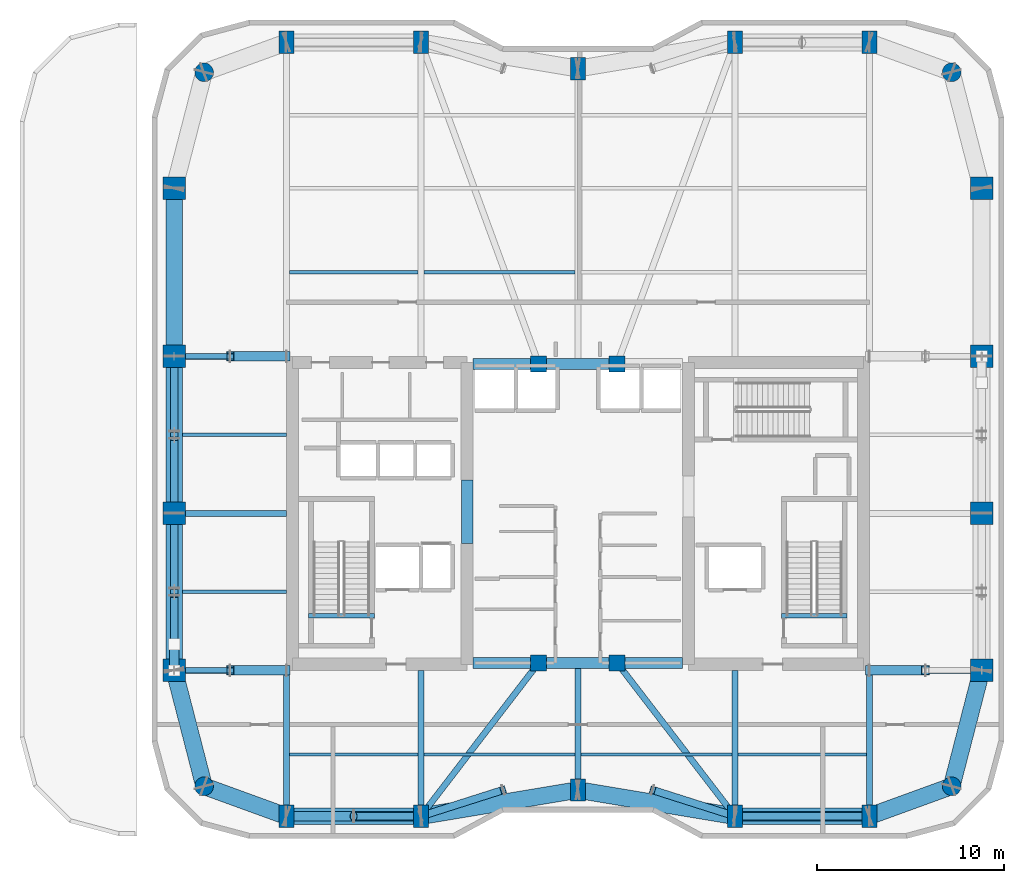
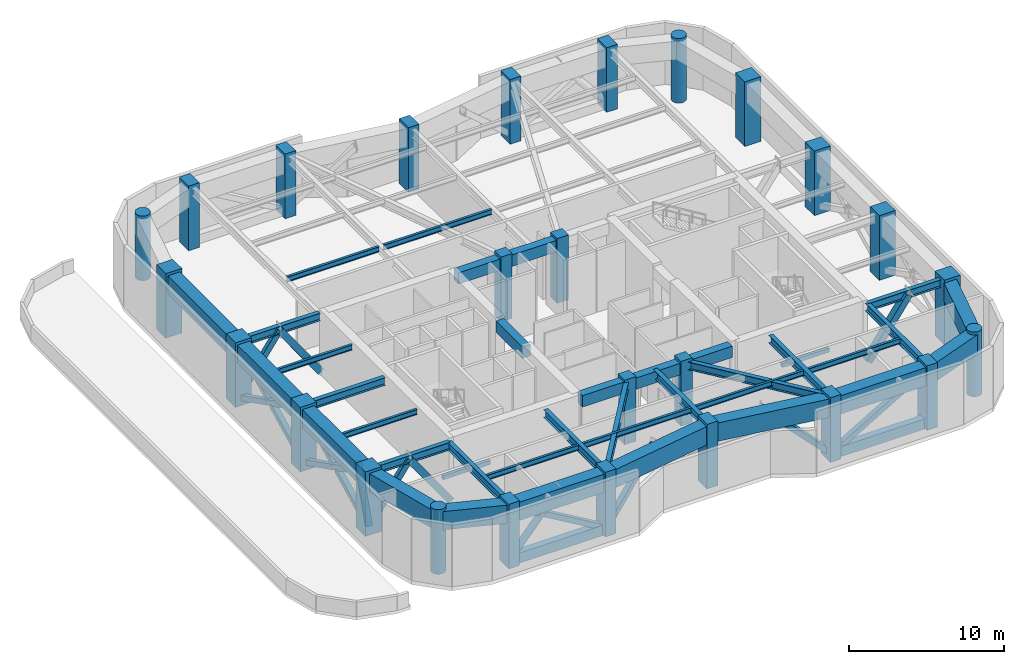
# One storey, part 1 of 16: 38 beams, 26 columns, 19 members.
"""IFC4 building model written with IfcOpenShell, lengths in metres."""

from ifc_helpers import new_model, si_unit, direction, frame, origin, origin_2d, place, context, subcontext, project, spatial, rectangle, hollow_rectangle, circle, hollow_circle, i_section, extrude, material, material_profile, profile_set, type_object, element, save


model = new_model("IFC4")

# Units and contexts
model_context = context("Model", 3, precision=1e-05, world=origin(), true_north=direction((0.0, 1.0)))
body_context = subcontext(model_context, "Body", "Model", "MODEL_VIEW")
ifc_project = project(units=[si_unit("LENGTHUNIT", "METRE"), si_unit("AREAUNIT", "SQUARE_METRE"), si_unit("VOLUMEUNIT", "CUBIC_METRE"), si_unit("PLANEANGLEUNIT", "RADIAN"), si_unit("MASSUNIT", "GRAM", prefix="KILO")], contexts=[model_context])

# Site, building, storey
site_placement = place(None, origin())
site = spatial("IfcSite", under=ifc_project, at=site_placement, CompositionType="ELEMENT")
building_placement = place(site_placement, origin())
building = spatial("IfcBuilding", under=site, at=building_placement, Name="Kiyonajd Concourse Tower", CompositionType="ELEMENT")
storey_placement = place(building_placement, frame((0.0, 0.0, 209.699951171875)))
storey = spatial("IfcBuildingStorey", under=building, at=storey_placement, Name="L53", CompositionType="ELEMENT", Elevation=209.699951171875)

# Columns
ifc_material_1 = material(Name="Concrete C70/85", Category="concrete")
ifc_material_profile_1 = material_profile(ifc_material_1, rectangle(XDim=0.800048828125, YDim=1.199951171875, at=origin_2d()), Name="RC-1200x800")
ifc_profile_set_1 = profile_set([ifc_material_profile_1], Name="Concrete C70/85")
column_type_1 = type_object("IfcColumnType", Name="CL-BLADE-1200", PredefinedType="COLUMN", material=ifc_profile_set_1)
for number, where, z_axis, x_axis, name in (
    (1, (32.39990234375, 19.800048828125, 0.0), (0.0, 0.0, 1.0), (1.0, 0.0, 0.0), "L53 Perimeter Bundled Tube Column"),
    (2, (32.39990234375, 61.199951171875, 0.0), (0.0, 0.0, 1.0), (1.0, 0.0, 0.0), "L53 Perimeter Bundled Tube Column"),
    (3, (39.60009765625, 19.800048828125, 0.0), (0.0, 0.0, 1.0), (1.0, 0.0, 0.0), "L53 Perimeter Bundled Tube Column"),
    (4, (39.60009765625, 61.199951171875, 0.0), (0.0, 0.0, 1.0), (1.0, 0.0, 0.0), "L53 Perimeter Bundled Tube Column"),
    (5, (48.0, 21.199951171875, 0.0), (0.0, 0.0, 1.0), (1.0, 0.0, 0.0), "L53 Perimeter Bundled Tube Column"),
    (6, (48.0, 59.800048828125, 0.0), (0.0, 0.0, 1.0), (1.0, 0.0, 0.0), "L53 Perimeter Bundled Tube Column"),
    (7, (56.39990234375, 19.800048828125, 0.0), (0.0, 0.0, 1.0), (1.0, 0.0, 0.0), "L53 Perimeter Bundled Tube Column"),
    (8, (56.39990234375, 61.199951171875, 0.0), (0.0, 0.0, 1.0), (1.0, 0.0, 0.0), "L53 Perimeter Bundled Tube Column"),
    (9, (63.60009765625, 19.800048828125, 0.0), (0.0, 0.0, 1.0), (1.0, 0.0, 0.0), "L53 Perimeter Bundled Tube Column"),
    (10, (63.60009765625, 61.199951171875, 0.0), (0.0, 0.0, 1.0), (1.0, 0.0, 0.0), "L53 Perimeter Bundled Tube Column"),
):
    element("IfcColumn", number, at=place(storey_placement, frame(where, z_axis=z_axis, x_axis=x_axis)), inside=storey, type_object=column_type_1, Name=name, PredefinedType="COLUMN", context=body_context, shape_type="SweptSolid", body=[
        extrude(rectangle(XDim=0.800048828125, YDim=1.199951171875, at=origin_2d()), origin(), (0.0, 0.0, 1.0), 5.10009765625),
    ])
ifc_material_2 = material(Name="Concrete C60/75", Category="concrete")
ifc_material_profile_2 = material_profile(ifc_material_2, circle(Radius=0.5, at=origin_2d()), Name="RCC-D1000")
ifc_profile_set_2 = profile_set([ifc_material_profile_2], Name="Concrete C60/75")
column_type_2 = type_object("IfcColumnType", Name="CL-RND-1000", PredefinedType="COLUMN", material=ifc_profile_set_2)
for number, where, z_axis, x_axis, name in (
    (11, (28.0, 21.39990234375, 0.0), (0.0, 0.0, 1.0), (1.0, 0.0, 0.0), "L53 Bundled Tube Corner Column South West"),
    (12, (68.0, 21.39990234375, 0.0), (0.0, 0.0, 1.0), (1.0, 0.0, 0.0), "L53 Bundled Tube Corner Column South East"),
    (13, (68.0, 59.60009765625, 0.0), (0.0, 0.0, 1.0), (1.0, 0.0, 0.0), "L53 Bundled Tube Corner Column North East"),
    (14, (28.0, 59.60009765625, 0.0), (0.0, 0.0, 1.0), (1.0, 0.0, 0.0), "L53 Bundled Tube Corner Column North West"),
):
    element("IfcColumn", number, at=place(storey_placement, frame(where, z_axis=z_axis, x_axis=x_axis)), inside=storey, type_object=column_type_2, Name=name, PredefinedType="COLUMN", context=body_context, shape_type="SweptSolid", body=[
        extrude(circle(Radius=0.5, at=origin_2d()), origin(), (0.0, 0.0, 1.0), 5.10009765625),
    ])
ifc_material_profile_3 = material_profile(ifc_material_1, rectangle(XDim=1.199951171875, YDim=1.199951171875, at=origin_2d()), Name="RC-1200x1200")
ifc_profile_set_3 = profile_set([ifc_material_profile_3], Name="Concrete C70/85")
column_type_3 = type_object("IfcColumnType", Name="CL-TUBE-1200", PredefinedType="COLUMN", material=ifc_profile_set_3)
for number, where, z_axis, x_axis, name in (
    (15, (26.39990234375, 27.60009765625, 0.0), (0.0, 0.0, 1.0), (1.0, 0.0, 0.0), "L53 Perimeter Bundled Tube Column"),
    (16, (69.60009765625, 27.60009765625, 0.0), (0.0, 0.0, 1.0), (1.0, 0.0, 0.0), "L53 Perimeter Bundled Tube Column"),
    (17, (26.39990234375, 36.0, 0.0), (0.0, 0.0, 1.0), (1.0, 0.0, 0.0), "L53 Perimeter Bundled Tube Column"),
    (18, (69.60009765625, 36.0, 0.0), (0.0, 0.0, 1.0), (1.0, 0.0, 0.0), "L53 Perimeter Bundled Tube Column"),
    (19, (26.39990234375, 44.39990234375, 0.0), (0.0, 0.0, 1.0), (1.0, 0.0, 0.0), "L53 Perimeter Bundled Tube Column"),
    (20, (69.60009765625, 44.39990234375, 0.0), (0.0, 0.0, 1.0), (1.0, 0.0, 0.0), "L53 Perimeter Bundled Tube Column"),
    (21, (26.39990234375, 53.39990234375, 0.0), (0.0, 0.0, 1.0), (1.0, 0.0, 0.0), "L53 Perimeter Bundled Tube Column"),
    (22, (69.60009765625, 53.39990234375, 0.0), (0.0, 0.0, 1.0), (1.0, 0.0, 0.0), "L53 Perimeter Bundled Tube Column"),
):
    element("IfcColumn", number, at=place(storey_placement, frame(where, z_axis=z_axis, x_axis=x_axis)), inside=storey, type_object=column_type_3, Name=name, PredefinedType="COLUMN", context=body_context, shape_type="SweptSolid", body=[
        extrude(rectangle(XDim=1.199951171875, YDim=1.199951171875, at=origin_2d()), origin(), (0.0, 0.0, 1.0), 5.10009765625),
    ])
ifc_material_profile_4 = material_profile(ifc_material_2, rectangle(XDim=0.85009765625, YDim=0.85009765625, at=origin_2d()), Name="RC-850x850")
ifc_profile_set_4 = profile_set([ifc_material_profile_4], Name="Concrete C60/75")
column_type_4 = type_object("IfcColumnType", Name="CL-TUBE-850", PredefinedType="COLUMN", material=ifc_profile_set_4)
for number, where, z_axis, x_axis, name in (
    (23, (45.89990234375, 28.0, 0.0), (0.0, 0.0, 1.0), (1.0, 0.0, 0.0), "L53 Core Tie Column South West"),
    (24, (50.10009765625, 28.0, 0.0), (0.0, 0.0, 1.0), (1.0, 0.0, 0.0), "L53 Core Tie Column South East"),
    (25, (45.89990234375, 44.0, 0.0), (0.0, 0.0, 1.0), (1.0, 0.0, 0.0), "L53 Core Tie Column North West"),
    (26, (50.10009765625, 44.0, 0.0), (0.0, 0.0, 1.0), (1.0, 0.0, 0.0), "L53 Core Tie Column North East"),
):
    element("IfcColumn", number, at=place(storey_placement, frame(where, z_axis=z_axis, x_axis=x_axis)), inside=storey, type_object=column_type_4, Name=name, PredefinedType="COLUMN", context=body_context, shape_type="SweptSolid", body=[
        extrude(rectangle(XDim=0.85009765625, YDim=0.85009765625, at=origin_2d()), origin(), (0.0, 0.0, 1.0), 5.10009765625),
    ])

# Beams
ifc_material_profile_5 = material_profile(ifc_material_2, rectangle(XDim=0.60009765625, YDim=0.89990234375, at=origin_2d()), Name="RCBM-600x900")
ifc_profile_set_5 = profile_set([ifc_material_profile_5], Name="Concrete C60/75")
beam_type_1 = type_object("IfcBeamType", Name="BM-COUP-900", PredefinedType="LINTEL", material=ifc_profile_set_5)
beam_1_placement = place(storey_placement, frame((42.39990234375, 28.0, 4.429931640625), z_axis=(1.0, 0.0, 0.0), x_axis=(0.0, 1.0, 0.0)))
element("IfcBeam", 27, at=beam_1_placement, inside=storey, type_object=beam_type_1, Name="L53 Core Coupling Beam S1", PredefinedType="LINTEL", context=body_context, shape_type="SweptSolid", body=[
    extrude(rectangle(XDim=0.60009765625, YDim=0.89990234375, at=origin_2d()), origin(), (0.0, 0.0, 1.0), 3.5),
])
beam_2_placement = place(storey_placement, frame((45.89990234375, 28.0, 4.429931640625), z_axis=(1.0, 0.0, 0.0), x_axis=(0.0, 1.0, 0.0)))
element("IfcBeam", 28, at=beam_2_placement, inside=storey, type_object=beam_type_1, Name="L53 Core Coupling Beam S2", PredefinedType="LINTEL", context=body_context, shape_type="SweptSolid", body=[
    extrude(rectangle(XDim=0.60009765625, YDim=0.89990234375, at=origin_2d()), origin(), (0.0, 0.0, 1.0), 4.2001953125),
])
for number, where, z_axis, x_axis, name in (
    (29, (50.10009765625, 28.0, 4.429931640625), (1.0, 0.0, 0.0), (0.0, 1.0, 0.0), "L53 Core Coupling Beam S3"),
    (30, (42.39990234375, 44.0, 4.429931640625), (1.0, 0.0, 0.0), (0.0, 1.0, 0.0), "L53 Core Coupling Beam N1"),
):
    element("IfcBeam", number, at=place(storey_placement, frame(where, z_axis=z_axis, x_axis=x_axis)), inside=storey, type_object=beam_type_1, Name=name, PredefinedType="LINTEL", context=body_context, shape_type="SweptSolid", body=[
        extrude(rectangle(XDim=0.60009765625, YDim=0.89990234375, at=origin_2d()), origin(), (0.0, 0.0, 1.0), 3.5),
    ])
beam_3_placement = place(storey_placement, frame((45.89990234375, 44.0, 4.429931640625), z_axis=(1.0, 0.0, 0.0), x_axis=(0.0, 1.0, 0.0)))
element("IfcBeam", 31, at=beam_3_placement, inside=storey, type_object=beam_type_1, Name="L53 Core Coupling Beam N2", PredefinedType="LINTEL", context=body_context, shape_type="SweptSolid", body=[
    extrude(rectangle(XDim=0.60009765625, YDim=0.89990234375, at=origin_2d()), origin(), (0.0, 0.0, 1.0), 4.2001953125),
])
beam_4_placement = place(storey_placement, frame((42.074951171875, 34.39990234375, 4.429931640625), z_axis=(0.0, 1.0, 0.0), x_axis=(-1.0, 0.0, 0.0)))
element("IfcBeam", 32, at=beam_4_placement, inside=storey, type_object=beam_type_1, Name="L53 West Core Throat Coupling Lintel", PredefinedType="LINTEL", context=body_context, shape_type="SweptSolid", body=[
    extrude(rectangle(XDim=0.60009765625, YDim=0.89990234375, at=origin_2d()), origin(), (0.0, 0.0, 1.0), 3.400146484375),
])
ifc_material_3 = material(Name="Steel ASTM A992 Grade 50", Category="steel")
ifc_material_profile_6 = material_profile(ifc_material_3, i_section(OverallWidth=0.180908203125, OverallDepth=0.4169921875, WebThickness=0.010986328125, FlangeThickness=0.018310546875, at=origin_2d()), Name="W410X85")
ifc_profile_set_6 = profile_set([ifc_material_profile_6], Name="Steel ASTM A992 Grade 50")
beam_type_2 = type_object("IfcBeamType", Name="BM-JST-410", PredefinedType="JOIST", material=ifc_profile_set_6)
beam_5_placement = place(storey_placement, frame((32.56201171875, 23.10009765625, 4.671630859375), z_axis=(1.0, 0.0, 0.0), x_axis=(0.0, 1.0, 0.0)))
element("IfcBeam", 33, at=beam_5_placement, inside=storey, type_object=beam_type_2, Name="L53 Secondary Floor Joist", PredefinedType="JOIST", context=body_context, shape_type="SweptSolid", body=[
    extrude(i_section(OverallWidth=0.180908203125, OverallDepth=0.4169921875, WebThickness=0.010986328125, FlangeThickness=0.018310546875, at=origin_2d()), origin(), (0.0, 0.0, 1.0), 6.8759765625),
])
for number, where, z_axis, x_axis, name in (
    (34, (39.761962890625, 23.10009765625, 4.671630859375), (1.0, 0.0, 0.0), (0.0, 1.0, 0.0), "L53 Secondary Floor Joist"),
    (35, (48.162109375, 23.10009765625, 4.671630859375), (1.0, 0.0, 0.0), (0.0, 1.0, 0.0), "L53 Secondary Floor Joist"),
):
    element("IfcBeam", number, at=place(storey_placement, frame(where, z_axis=z_axis, x_axis=x_axis)), inside=storey, type_object=beam_type_2, Name=name, PredefinedType="JOIST", context=body_context, shape_type="SweptSolid", body=[
        extrude(i_section(OverallWidth=0.180908203125, OverallDepth=0.4169921875, WebThickness=0.010986328125, FlangeThickness=0.018310546875, at=origin_2d()), origin(), (0.0, 0.0, 1.0), 8.075927734375),
    ])
for number, where, z_axis, x_axis, name in (
    (36, (56.56201171875, 23.10009765625, 4.671630859375), (1.0, 0.0, 0.0), (0.0, 1.0, 0.0), "L53 Secondary Floor Joist"),
    (37, (32.56201171875, 48.89990234375, 4.671630859375), (1.0, 0.0, 0.0), (0.0, 1.0, 0.0), "L53 Secondary Floor Joist"),
):
    element("IfcBeam", number, at=place(storey_placement, frame(where, z_axis=z_axis, x_axis=x_axis)), inside=storey, type_object=beam_type_2, Name=name, PredefinedType="JOIST", context=body_context, shape_type="SweptSolid", body=[
        extrude(i_section(OverallWidth=0.180908203125, OverallDepth=0.4169921875, WebThickness=0.010986328125, FlangeThickness=0.018310546875, at=origin_2d()), origin(), (0.0, 0.0, 1.0), 6.8759765625),
    ])
beam_6_placement = place(storey_placement, frame((39.761962890625, 48.89990234375, 4.671630859375), z_axis=(1.0, 0.0, 0.0), x_axis=(0.0, 1.0, 0.0)))
element("IfcBeam", 38, at=beam_6_placement, inside=storey, type_object=beam_type_2, Name="L53 Secondary Floor Joist", PredefinedType="JOIST", context=body_context, shape_type="SweptSolid", body=[
    extrude(i_section(OverallWidth=0.180908203125, OverallDepth=0.4169921875, WebThickness=0.010986328125, FlangeThickness=0.018310546875, at=origin_2d()), origin(), (0.0, 0.0, 1.0), 8.075927734375),
])
for number, where, z_axis, x_axis, name in (
    (39, (26.85009765625, 31.800048828125, 4.671630859375), (1.0, 0.0, 0.0), (0.0, 1.0, 0.0), "L53 West Secondary Floor Joist"),
    (40, (26.85009765625, 40.199951171875, 4.671630859375), (1.0, 0.0, 0.0), (0.0, 1.0, 0.0), "L53 West Secondary Floor Joist"),
):
    element("IfcBeam", number, at=place(storey_placement, frame(where, z_axis=z_axis, x_axis=x_axis)), inside=storey, type_object=beam_type_2, Name=name, PredefinedType="JOIST", context=body_context, shape_type="SweptSolid", body=[
        extrude(i_section(OverallWidth=0.180908203125, OverallDepth=0.4169921875, WebThickness=0.010986328125, FlangeThickness=0.018310546875, at=origin_2d()), origin(), (0.0, 0.0, 1.0), 5.5498046875),
    ])
ifc_material_4 = material(Name="Concrete C50/60", Category="concrete")
ifc_material_profile_7 = material_profile(ifc_material_4, rectangle(XDim=0.239990234375, YDim=0.320068359375, at=origin_2d()), Name="RCBM-240x320")
ifc_profile_set_7 = profile_set([ifc_material_profile_7], Name="Concrete C50/60")
beam_type_3 = type_object("IfcBeamType", Name="BM-LNT-250", PredefinedType="LINTEL", material=ifc_profile_set_7)
for number, where, z_axis, x_axis, name in (
    (41, (33.590087890625, 30.530029296875, -0.159912109375), (1.0, 0.0, 0.0), (0.0, 1.0, 0.0), "L53 Stair ST1 Threshold Support Beam"),
    (42, (58.889892578125, 30.530029296875, -0.159912109375), (1.0, 0.0, 0.0), (0.0, 1.0, 0.0), "L53 Stair ST2 Threshold Support Beam"),
):
    element("IfcBeam", number, at=place(storey_placement, frame(where, z_axis=z_axis, x_axis=x_axis)), inside=storey, type_object=beam_type_3, Name=name, PredefinedType="LINTEL", context=body_context, shape_type="SweptSolid", body=[
        extrude(rectangle(XDim=0.239990234375, YDim=0.320068359375, at=origin_2d()), origin(), (0.0, 0.0, 1.0), 3.52001953125),
    ])
ifc_material_profile_8 = material_profile(ifc_material_3, i_section(OverallWidth=0.326904296875, OverallDepth=0.6220703125, WebThickness=0.015380859375, FlangeThickness=0.0244140625, at=origin_2d()), Name="W610X195")
ifc_profile_set_8 = profile_set([ifc_material_profile_8], Name="Steel ASTM A992 Grade 50")
beam_type_4 = type_object("IfcBeamType", Name="BM-TWR-610A", PredefinedType="BEAM", material=ifc_profile_set_8)
for number, where, z_axis, x_axis, name in (
    (43, (39.60009765625, 19.800048828125, 4.569091796875), (0.609233709922, 0.792990722956, 0.0), (-0.792990722956, 0.609233709922, 0.0), "L53 Core Tie Girder"),
    (44, (50.10009765625, 28.0, 4.569091796875), (0.609233709922, -0.792990722956, 0.0), (0.792990722956, 0.609233709922, 0.0), "L53 Core Tie Girder"),
):
    element("IfcBeam", number, at=place(storey_placement, frame(where, z_axis=z_axis, x_axis=x_axis)), inside=storey, type_object=beam_type_4, Name=name, PredefinedType="BEAM", context=body_context, shape_type="SweptSolid", body=[
        extrude(i_section(OverallWidth=0.326904296875, OverallDepth=0.6220703125, WebThickness=0.015380859375, FlangeThickness=0.0244140625, at=origin_2d()), origin(), (0.0, 0.0, 1.0), 10.340576171875),
    ])
ifc_material_profile_9 = material_profile(ifc_material_3, i_section(OverallWidth=0.323974609375, OverallDepth=0.611083984375, WebThickness=0.0126953125, FlangeThickness=0.01904296875, at=origin_2d()), Name="W610X155")
ifc_profile_set_9 = profile_set([ifc_material_profile_9], Name="Steel ASTM A992 Grade 50")
beam_type_5 = type_object("IfcBeamType", Name="BM-TWR-610B", PredefinedType="BEAM", material=ifc_profile_set_9)
for number, where, z_axis, x_axis, name in (
    (45, (32.39990234375, 19.800048828125, 4.574462890625), (0.0, 1.0, 0.0), (-1.0, 0.0, 0.0), "L53 South Lease Girder"),
    (46, (39.60009765625, 19.800048828125, 4.574462890625), (0.0, 1.0, 0.0), (-1.0, 0.0, 0.0), "L53 South Lease Girder"),
    (47, (56.39990234375, 19.800048828125, 4.574462890625), (0.0, 1.0, 0.0), (-1.0, 0.0, 0.0), "L53 South Lease Girder"),
    (48, (63.60009765625, 19.800048828125, 4.574462890625), (0.0, 1.0, 0.0), (-1.0, 0.0, 0.0), "L53 South Lease Girder"),
):
    element("IfcBeam", number, at=place(storey_placement, frame(where, z_axis=z_axis, x_axis=x_axis)), inside=storey, type_object=beam_type_5, Name=name, PredefinedType="BEAM", context=body_context, shape_type="SweptSolid", body=[
        extrude(i_section(OverallWidth=0.323974609375, OverallDepth=0.611083984375, WebThickness=0.0126953125, FlangeThickness=0.01904296875, at=origin_2d()), origin(), (0.0, 0.0, 1.0), 7.800048828125),
    ])
beam_7_placement = place(storey_placement, frame((48.0, 21.199951171875, 4.574462890625), z_axis=(0.0, 1.0, 0.0), x_axis=(-1.0, 0.0, 0.0)))
element("IfcBeam", 49, at=beam_7_placement, inside=storey, type_object=beam_type_5, Name="L53 South Ribbon Girder", PredefinedType="BEAM", context=body_context, shape_type="SweptSolid", body=[
    extrude(i_section(OverallWidth=0.323974609375, OverallDepth=0.611083984375, WebThickness=0.0126953125, FlangeThickness=0.01904296875, at=origin_2d()), origin(), (0.0, 0.0, 1.0), 6.800048828125),
])
for number, where, z_axis, x_axis, name in (
    (50, (26.39990234375, 27.60009765625, 4.574462890625), (1.0, 0.0, 0.0), (0.0, 1.0, 0.0), "L53 West Lease Girder"),
    (51, (63.60009765625, 27.60009765625, 4.574462890625), (1.0, 0.0, 0.0), (0.0, 1.0, 0.0), "L53 East Lease Girder"),
    (52, (26.39990234375, 36.0, 4.574462890625), (1.0, 0.0, 0.0), (0.0, 1.0, 0.0), "L53 West Lease Girder"),
    (53, (26.39990234375, 44.39990234375, 4.574462890625), (1.0, 0.0, 0.0), (0.0, 1.0, 0.0), "L53 West Lease Girder"),
):
    element("IfcBeam", number, at=place(storey_placement, frame(where, z_axis=z_axis, x_axis=x_axis)), inside=storey, type_object=beam_type_5, Name=name, PredefinedType="BEAM", context=body_context, shape_type="SweptSolid", body=[
        extrude(i_section(OverallWidth=0.323974609375, OverallDepth=0.611083984375, WebThickness=0.0126953125, FlangeThickness=0.01904296875, at=origin_2d()), origin(), (0.0, 0.0, 1.0), 6.0),
    ])
ifc_material_5 = material(Name="Steel ASTM A572 Grade 50", Category="steel")
ifc_material_profile_10 = material_profile(ifc_material_5, hollow_rectangle(XDim=0.89990234375, YDim=1.449951171875, WallThickness=0.074951171875, at=origin_2d()), Name="BOX-1450x900x75")
ifc_profile_set_10 = profile_set([ifc_material_profile_10], Name="Steel ASTM A572 Grade 50")
beam_type_6 = type_object("IfcBeamType", Name="BM-XFER-1800", PredefinedType="BEAM", material=ifc_profile_set_10)
beam_8_placement = place(storey_placement, frame((26.39990234375, 27.60009765625, 4.155029296875), z_axis=(0.249884937687, -0.968275538221, 0.0), x_axis=(0.968275538221, 0.249884937687, 0.0)))
element("IfcBeam", 54, at=beam_8_placement, inside=storey, type_object=beam_type_6, Name="L53 Perimeter Bundled Tube Spandrel", PredefinedType="BEAM", context=body_context, shape_type="SweptSolid", body=[
    extrude(hollow_rectangle(XDim=0.89990234375, YDim=1.449951171875, WallThickness=0.074951171875, at=origin_2d()), origin(), (0.0, 0.0, 1.0), 6.4033203125),
])
beam_9_placement = place(storey_placement, frame((28.0, 21.39990234375, 4.155029296875), z_axis=(0.939801036019, -0.341722127901, 0.0), x_axis=(0.341722127901, 0.939801036019, 0.0)))
element("IfcBeam", 55, at=beam_9_placement, inside=storey, type_object=beam_type_6, Name="L53 Perimeter Bundled Tube Spandrel", PredefinedType="BEAM", context=body_context, shape_type="SweptSolid", body=[
    extrude(hollow_rectangle(XDim=0.89990234375, YDim=1.449951171875, WallThickness=0.074951171875, at=origin_2d()), origin(), (0.0, 0.0, 1.0), 4.681640625),
])
beam_10_placement = place(storey_placement, frame((32.39990234375, 19.800048828125, 4.155029296875), z_axis=(1.0, 0.0, 0.0), x_axis=(0.0, 1.0, 0.0)))
element("IfcBeam", 56, at=beam_10_placement, inside=storey, type_object=beam_type_6, Name="L53 Perimeter Bundled Tube Spandrel", PredefinedType="BEAM", context=body_context, shape_type="SweptSolid", body=[
    extrude(hollow_rectangle(XDim=0.89990234375, YDim=1.449951171875, WallThickness=0.074951171875, at=origin_2d()), origin(), (0.0, 0.0, 1.0), 7.2001953125),
])
for number, where, z_axis, x_axis, name in (
    (57, (39.60009765625, 19.800048828125, 4.155029296875), (0.986395473479, 0.164389689151, 0.0), (-0.164389689151, 0.986395473479, 0.0), "L53 Perimeter Bundled Tube Spandrel"),
    (58, (48.0, 21.199951171875, 4.155029296875), (0.986395473479, -0.164389689151, 0.0), (0.164389689151, 0.986395473479, 0.0), "L53 Perimeter Bundled Tube Spandrel"),
):
    element("IfcBeam", number, at=place(storey_placement, frame(where, z_axis=z_axis, x_axis=x_axis)), inside=storey, type_object=beam_type_6, Name=name, PredefinedType="BEAM", context=body_context, shape_type="SweptSolid", body=[
        extrude(hollow_rectangle(XDim=0.89990234375, YDim=1.449951171875, WallThickness=0.074951171875, at=origin_2d()), origin(), (0.0, 0.0, 1.0), 8.515869140625),
    ])
beam_11_placement = place(storey_placement, frame((56.39990234375, 19.800048828125, 4.155029296875), z_axis=(1.0, 0.0, 0.0), x_axis=(0.0, 1.0, 0.0)))
element("IfcBeam", 59, at=beam_11_placement, inside=storey, type_object=beam_type_6, Name="L53 Perimeter Bundled Tube Spandrel", PredefinedType="BEAM", context=body_context, shape_type="SweptSolid", body=[
    extrude(hollow_rectangle(XDim=0.89990234375, YDim=1.449951171875, WallThickness=0.074951171875, at=origin_2d()), origin(), (0.0, 0.0, 1.0), 7.2001953125),
])
beam_12_placement = place(storey_placement, frame((63.60009765625, 19.800048828125, 4.155029296875), z_axis=(0.939801036019, 0.341722127901, 0.0), x_axis=(-0.341722127901, 0.939801036019, 0.0)))
element("IfcBeam", 60, at=beam_12_placement, inside=storey, type_object=beam_type_6, Name="L53 Perimeter Bundled Tube Spandrel", PredefinedType="BEAM", context=body_context, shape_type="SweptSolid", body=[
    extrude(hollow_rectangle(XDim=0.89990234375, YDim=1.449951171875, WallThickness=0.074951171875, at=origin_2d()), origin(), (0.0, 0.0, 1.0), 4.681640625),
])
beam_13_placement = place(storey_placement, frame((68.0, 21.39990234375, 4.155029296875), z_axis=(0.249884937687, 0.968275538221, 0.0), x_axis=(-0.968275538221, 0.249884937687, 0.0)))
element("IfcBeam", 61, at=beam_13_placement, inside=storey, type_object=beam_type_6, Name="L53 Perimeter Bundled Tube Spandrel", PredefinedType="BEAM", context=body_context, shape_type="SweptSolid", body=[
    extrude(hollow_rectangle(XDim=0.89990234375, YDim=1.449951171875, WallThickness=0.074951171875, at=origin_2d()), origin(), (0.0, 0.0, 1.0), 6.4033203125),
])
beam_14_placement = place(storey_placement, frame((26.39990234375, 53.39990234375, 4.155029296875), z_axis=(0.0, -1.0, 0.0), x_axis=(1.0, 0.0, 0.0)))
element("IfcBeam", 62, at=beam_14_placement, inside=storey, type_object=beam_type_6, Name="L53 Perimeter Bundled Tube Spandrel", PredefinedType="BEAM", context=body_context, shape_type="SweptSolid", body=[
    extrude(hollow_rectangle(XDim=0.89990234375, YDim=1.449951171875, WallThickness=0.074951171875, at=origin_2d()), origin(), (0.0, 0.0, 1.0), 9.0),
])
for number, where, z_axis, x_axis, name in (
    (63, (26.39990234375, 44.39990234375, 4.155029296875), (0.0, -1.0, 0.0), (1.0, 0.0, 0.0), "L53 Perimeter Bundled Tube Spandrel"),
    (64, (26.39990234375, 36.0, 4.155029296875), (0.0, -1.0, 0.0), (1.0, 0.0, 0.0), "L53 Perimeter Bundled Tube Spandrel"),
):
    element("IfcBeam", number, at=place(storey_placement, frame(where, z_axis=z_axis, x_axis=x_axis)), inside=storey, type_object=beam_type_6, Name=name, PredefinedType="BEAM", context=body_context, shape_type="SweptSolid", body=[
        extrude(hollow_rectangle(XDim=0.89990234375, YDim=1.449951171875, WallThickness=0.074951171875, at=origin_2d()), origin(), (0.0, 0.0, 1.0), 8.39990234375),
    ])

# Members
ifc_material_profile_11 = material_profile(ifc_material_5, hollow_rectangle(XDim=0.5, YDim=0.800048828125, WallThickness=0.044921875, at=origin_2d()), Name="BOX-800x500x45")
ifc_profile_set_11 = profile_set([ifc_material_profile_11], Name="Steel ASTM A572 Grade 50")
member_type_1 = type_object("IfcMemberType", Name="MB-BT-CHORD", PredefinedType="CHORD", material=ifc_profile_set_11)
for number, where, z_axis, x_axis, name in (
    (65, (32.39990234375, 19.800048828125, 0.300048828125), (1.0, 0.0, 0.0), (0.0, 1.0, 0.0), "L53 Belt Truss Bottom Chord 01"),
    (66, (56.39990234375, 19.800048828125, 0.300048828125), (1.0, 0.0, 0.0), (0.0, 1.0, 0.0), "L53 Belt Truss Bottom Chord 02"),
):
    element("IfcMember", number, at=place(storey_placement, frame(where, z_axis=z_axis, x_axis=x_axis)), inside=storey, type_object=member_type_1, Name=name, PredefinedType="CHORD", context=body_context, shape_type="SweptSolid", body=[
        extrude(hollow_rectangle(XDim=0.5, YDim=0.800048828125, WallThickness=0.044921875, at=origin_2d()), origin(), (0.0, 0.0, 1.0), 7.2001953125),
    ])
ifc_material_6 = material(Name="Steel ASTM A500 Grade C", Category="steel")
ifc_material_profile_12 = material_profile(ifc_material_6, hollow_rectangle(XDim=0.39990234375, YDim=0.39990234375, WallThickness=0.02001953125, at=origin_2d()), Name="HSS-400x400x20")
ifc_profile_set_12 = profile_set([ifc_material_profile_12], Name="Steel ASTM A500 Grade C")
member_type_2 = type_object("IfcMemberType", Name="MB-BT-DIAG", PredefinedType="BRACE", material=ifc_profile_set_12)
member_1_placement = place(storey_placement, frame((32.39990234375, 19.800048828125, 4.530029296875), z_axis=(0.86221816933, 0.0, -0.506537094867), x_axis=(0.0, 1.0, 0.0)))
element("IfcMember", 67, at=member_1_placement, inside=storey, type_object=member_type_2, Name="L53 Outrigger and Belt Truss Member 09", PredefinedType="BRACE", context=body_context, shape_type="SweptSolid", body=[
    extrude(hollow_rectangle(XDim=0.39990234375, YDim=0.39990234375, WallThickness=0.02001953125, at=origin_2d()), origin(), (0.0, 0.0, 1.0), 8.350830078125),
])
for number, where, z_axis, x_axis, name in (
    (68, (39.60009765625, 19.800048828125, 0.300048828125), (0.702644651212, 0.223558119523, 0.675508890628), (-0.303190562272, 0.952929946507, 0.0), "L53 Outrigger and Belt Truss Member 10"),
    (69, (52.0, 21.199951171875, 4.530029296875), (0.702644651212, -0.223558119523, -0.675508890628), (0.303190562272, 0.952929946507, 0.0), "L53 Outrigger and Belt Truss Member 11"),
):
    element("IfcMember", number, at=place(storey_placement, frame(where, z_axis=z_axis, x_axis=x_axis)), inside=storey, type_object=member_type_2, Name=name, PredefinedType="BRACE", context=body_context, shape_type="SweptSolid", body=[
        extrude(hollow_rectangle(XDim=0.39990234375, YDim=0.39990234375, WallThickness=0.02001953125, at=origin_2d()), origin(), (0.0, 0.0, 1.0), 6.261962890625),
    ])
member_2_placement = place(storey_placement, frame((56.39990234375, 19.800048828125, 0.300048828125), z_axis=(0.86221816933, 0.0, 0.506537094867), x_axis=(0.0, 1.0, 0.0)))
element("IfcMember", 70, at=member_2_placement, inside=storey, type_object=member_type_2, Name="L53 Outrigger and Belt Truss Member 12", PredefinedType="BRACE", context=body_context, shape_type="SweptSolid", body=[
    extrude(hollow_rectangle(XDim=0.39990234375, YDim=0.39990234375, WallThickness=0.02001953125, at=origin_2d()), origin(), (0.0, 0.0, 1.0), 8.350830078125),
])
member_3_placement = place(storey_placement, frame((26.39990234375, 27.60009765625, 4.530029296875), z_axis=(0.0, 0.893146359282, -0.449766140235), x_axis=(-1.0, 0.0, 0.0)))
element("IfcMember", 71, at=member_3_placement, inside=storey, type_object=member_type_2, Name="L53 Belt Truss Continuous X Brace W1", PredefinedType="BRACE", context=body_context, shape_type="SweptSolid", body=[
    extrude(hollow_rectangle(XDim=0.39990234375, YDim=0.39990234375, WallThickness=0.02001953125, at=origin_2d()), origin(), (0.0, 0.0, 1.0), 9.40478515625),
])
for number, where, z_axis, x_axis, name in (
    (72, (26.39990234375, 27.60009765625, 0.300048828125), (0.0, 0.893124207776, 0.449810126036), (-1.0, 0.0, 0.0), "L53 Belt Truss Split X Brace Lower W1"),
    (73, (26.39990234375, 32.00537109375, 2.5185546875), (0.0, 0.893157179671, 0.449744652445), (-1.0, 0.0, 0.0), "L53 Belt Truss Split X Brace Upper W1"),
):
    element("IfcMember", number, at=place(storey_placement, frame(where, z_axis=z_axis, x_axis=x_axis)), inside=storey, type_object=member_type_2, Name=name, PredefinedType="BRACE", context=body_context, shape_type="SweptSolid", body=[
        extrude(hollow_rectangle(XDim=0.39990234375, YDim=0.39990234375, WallThickness=0.02001953125, at=origin_2d()), origin(), (0.0, 0.0, 1.0), 4.472412109375),
    ])
member_4_placement = place(storey_placement, frame((26.39990234375, 36.0, 4.530029296875), z_axis=(0.0, 0.893146359282, -0.449766140235), x_axis=(-1.0, 0.0, 0.0)))
element("IfcMember", 74, at=member_4_placement, inside=storey, type_object=member_type_2, Name="L53 Belt Truss Continuous X Brace W2", PredefinedType="BRACE", context=body_context, shape_type="SweptSolid", body=[
    extrude(hollow_rectangle(XDim=0.39990234375, YDim=0.39990234375, WallThickness=0.02001953125, at=origin_2d()), origin(), (0.0, 0.0, 1.0), 9.40478515625),
])
member_5_placement = place(storey_placement, frame((26.39990234375, 36.0, 0.300048828125), z_axis=(0.0, 0.893135251835, 0.449788196744), x_axis=(-1.0, 0.0, 0.0)))
element("IfcMember", 75, at=member_5_placement, inside=storey, type_object=member_type_2, Name="L53 Belt Truss Split X Brace Lower W2", PredefinedType="BRACE", context=body_context, shape_type="SweptSolid", body=[
    extrude(hollow_rectangle(XDim=0.39990234375, YDim=0.39990234375, WallThickness=0.02001953125, at=origin_2d()), origin(), (0.0, 0.0, 1.0), 4.47265625),
])
member_6_placement = place(storey_placement, frame((26.39990234375, 40.405517578125, 2.5185546875), z_axis=(0.0, 0.893146137479, 0.449766580691), x_axis=(-1.0, 0.0, 0.0)))
element("IfcMember", 76, at=member_6_placement, inside=storey, type_object=member_type_2, Name="L53 Belt Truss Split X Brace Upper W2", PredefinedType="BRACE", context=body_context, shape_type="SweptSolid", body=[
    extrude(hollow_rectangle(XDim=0.39990234375, YDim=0.39990234375, WallThickness=0.02001953125, at=origin_2d()), origin(), (0.0, 0.0, 1.0), 4.47216796875),
])
ifc_material_profile_13 = material_profile(ifc_material_6, hollow_rectangle(XDim=0.300048828125, YDim=0.449951171875, WallThickness=0.02197265625, at=origin_2d()), Name="HSS-450x300x22")
ifc_profile_set_13 = profile_set([ifc_material_profile_13], Name="Steel ASTM A500 Grade C")
member_type_3 = type_object("IfcMemberType", Name="MB-OT-DIAG", PredefinedType="BRACE", material=ifc_profile_set_13)
for number, where, z_axis, x_axis, name in (
    (77, (29.39990234375, 27.60009765625, 4.530029296875), (-0.57850054233, 0.0, -0.815681998406), (0.0, -1.0, 0.0), "L53 Outrigger and Belt Truss Member 02"),
    (78, (29.39990234375, 44.39990234375, 4.530029296875), (-0.57850054233, 0.0, -0.815681998406), (0.0, -1.0, 0.0), "L53 Outrigger and Belt Truss Member 04"),
):
    element("IfcMember", number, at=place(storey_placement, frame(where, z_axis=z_axis, x_axis=x_axis)), inside=storey, type_object=member_type_3, Name=name, PredefinedType="BRACE", context=body_context, shape_type="SweptSolid", body=[
        extrude(hollow_rectangle(XDim=0.300048828125, YDim=0.449951171875, WallThickness=0.02197265625, at=origin_2d()), origin(), (0.0, 0.0, 1.0), 5.185791015625),
    ])
ifc_material_profile_14 = material_profile(ifc_material_5, hollow_rectangle(XDim=0.5, YDim=0.5, WallThickness=0.02490234375, at=origin_2d()), Name="HSS-500x500x25")
ifc_profile_set_14 = profile_set([ifc_material_profile_14], Name="Steel ASTM A572 Grade 50")
member_type_4 = type_object("IfcMemberType", Name="MB-OT-STRUT", PredefinedType="STRUT", material=ifc_profile_set_14)
for number, where, z_axis, x_axis, name in (
    (79, (32.39990234375, 27.60009765625, 0.300048828125), (-0.57850054233, 0.0, 0.815681998406), (0.0, -1.0, 0.0), "L53 Outrigger and Belt Truss Member 01"),
    (80, (32.39990234375, 44.39990234375, 0.300048828125), (-0.57850054233, 0.0, 0.815681998406), (0.0, -1.0, 0.0), "L53 Outrigger and Belt Truss Member 03"),
    (81, (63.60009765625, 27.60009765625, 0.300048828125), (0.57850054233, 0.0, 0.815681998406), (0.0, 1.0, 0.0), "L53 Outrigger and Belt Truss Member 05"),
):
    element("IfcMember", number, at=place(storey_placement, frame(where, z_axis=z_axis, x_axis=x_axis)), inside=storey, type_object=member_type_4, Name=name, PredefinedType="STRUT", context=body_context, shape_type="SweptSolid", body=[
        extrude(hollow_rectangle(XDim=0.5, YDim=0.5, WallThickness=0.02490234375, at=origin_2d()), origin(), (0.0, 0.0, 1.0), 5.185791015625),
    ])
ifc_material_profile_15 = material_profile(ifc_material_6, hollow_circle(Radius=0.25390625, WallThickness=0.02197265625, at=origin_2d()), Name="CHS-508x22")
ifc_profile_set_15 = profile_set([ifc_material_profile_15], Name="Steel ASTM A500 Grade C")
member_type_5 = type_object("IfcMemberType", Name="MB-PB-MID", PredefinedType="BRACE", material=ifc_profile_set_15)
member_7_placement = place(storey_placement, frame((32.39990234375, 19.800048828125, 0.300048828125), z_axis=(0.648130561025, 0.0, 0.761529235069), x_axis=(0.0, 1.0, 0.0)))
element("IfcMember", 82, at=member_7_placement, inside=storey, type_object=member_type_5, Name="L53 Upper Zone Hollow Tube Brace PBS", PredefinedType="BRACE", context=body_context, shape_type="SweptSolid", body=[
    extrude(hollow_circle(Radius=0.25390625, WallThickness=0.02197265625, at=origin_2d()), origin(), (0.0, 0.0, 1.0), 5.5546875),
])
member_8_placement = place(storey_placement, frame((26.39990234375, 27.60009765625, 0.300048828125), z_axis=(0.0, 0.314188699913, 0.949360553661), x_axis=(-1.0, 0.0, 0.0)))
element("IfcMember", 83, at=member_8_placement, inside=storey, type_object=member_type_5, Name="L53 Upper Zone Hollow Tube Brace PBW", PredefinedType="BRACE", context=body_context, shape_type="SweptSolid", body=[
    extrude(hollow_circle(Radius=0.25390625, WallThickness=0.02197265625, at=origin_2d()), origin(), (0.0, 0.0, 1.0), 4.45556640625),
])

save(model, "model.ifc")
